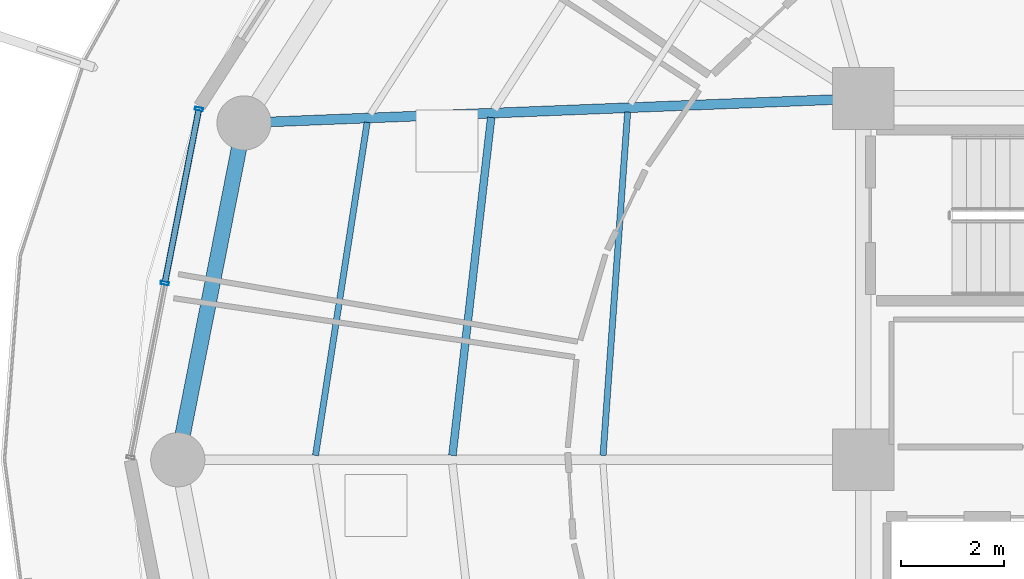
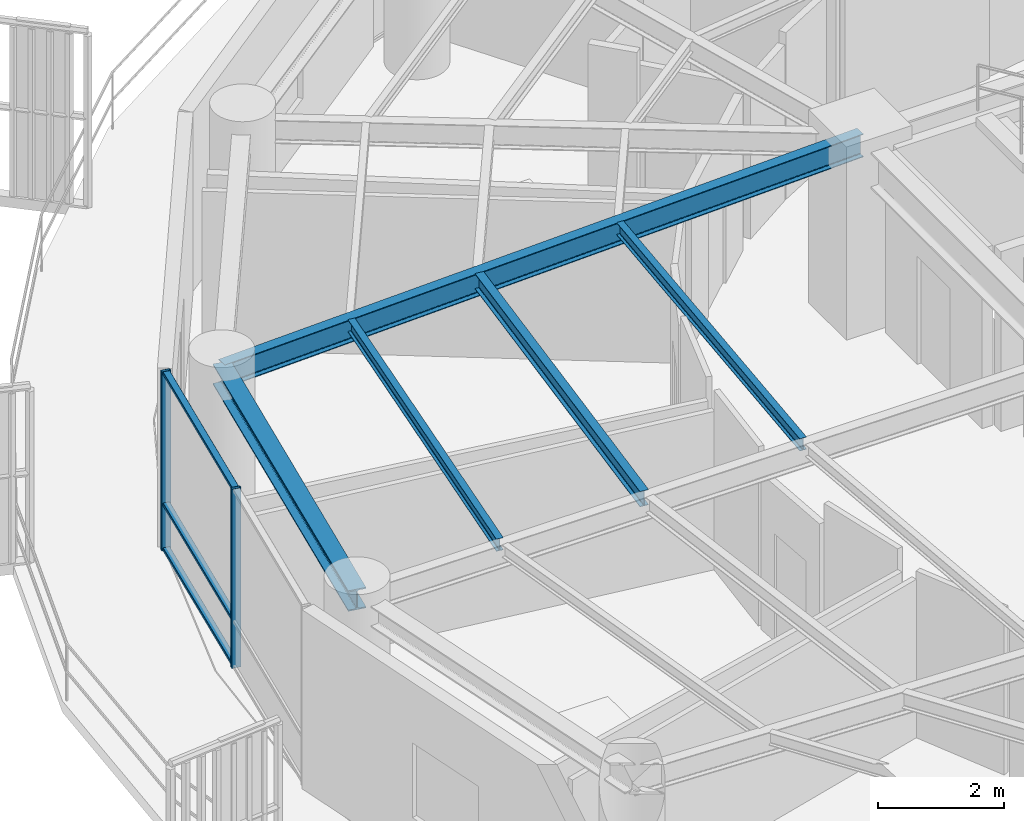
# One storey, part 8 of 31: 5 beams, 5 members, 1 element without a shape of its own.
"""IFC4 building model written with IfcOpenShell, lengths in metres."""

from ifc_helpers import new_model, si_unit, direction, frame, origin, origin_2d, place, context, subcontext, project, spatial, hollow_rectangle, i_section, extrude, material, layer, layer_set, material_profile, profile_set, type_object, element, aggregate, save


model = new_model("IFC4")

# Units and contexts
model_context = context("Model", 3, precision=1e-05, world=origin(), true_north=direction((0.0, 1.0)))
body_context = subcontext(model_context, "Body", "Model", "MODEL_VIEW")
ifc_project = project(units=[si_unit("LENGTHUNIT", "METRE"), si_unit("AREAUNIT", "SQUARE_METRE"), si_unit("VOLUMEUNIT", "CUBIC_METRE"), si_unit("PLANEANGLEUNIT", "RADIAN"), si_unit("MASSUNIT", "GRAM", prefix="KILO")], contexts=[model_context])

# Site, building, storey
site_placement = place(None, origin())
site = spatial("IfcSite", under=ifc_project, at=site_placement, CompositionType="ELEMENT")
building_placement = place(site_placement, origin())
building = spatial("IfcBuilding", under=site, at=building_placement, Name="Kelanora Arch Commons", CompositionType="ELEMENT")
storey_placement = place(building_placement, frame((0.0, 0.0, 193.199951171875)))
storey = spatial("IfcBuildingStorey", under=building, at=storey_placement, Name="L49", CompositionType="ELEMENT", Elevation=193.199951171875)

# Beams
ifc_material_1 = material(Name="Steel S355", Category="steel")
ifc_material_profile_1 = material_profile(ifc_material_1, i_section(OverallWidth=0.14990234375, OverallDepth=0.300048828125, WebThickness=0.007080078125, FlangeThickness=0.0107421875, FilletRadius=0.014892578125, at=origin_2d()), Name="IPE300")
ifc_profile_set_1 = profile_set([ifc_material_profile_1], Name="Steel S355")
beam_type_1 = type_object("IfcBeamType", Name="BM-JST-01", PredefinedType="JOIST", material=ifc_profile_set_1)
beam_1_placement = place(storey_placement, frame((58.792236328125, 64.631103515625, 3.340087890625), z_axis=(-0.113891408177, -0.993493204377, 0.0), x_axis=(0.993493204377, -0.113891408177, 0.0)))
element("IfcBeam", 1, at=beam_1_placement, inside=storey, type_object=beam_type_1, Name="Secondary Chord Joist BJB-16 L49", PredefinedType="JOIST", context=body_context, shape_type="SweptSolid", body=[
    extrude(i_section(OverallWidth=0.14990234375, OverallDepth=0.300048828125, WebThickness=0.007080078125, FlangeThickness=0.0107421875, FilletRadius=0.014892578125, at=origin_2d()), origin(), (0.0, 0.0, 1.0), 6.589599609375),
])
ifc_material_profile_2 = material_profile(ifc_material_1, i_section(OverallWidth=0.1201171875, OverallDepth=0.239990234375, WebThickness=0.006103515625, FlangeThickness=0.009765625, FilletRadius=0.014892578125, at=origin_2d()), Name="IPE240")
ifc_profile_set_2 = profile_set([ifc_material_profile_2], Name="Steel S355")
beam_type_2 = type_object("IfcBeamType", Name="BM-JST-02", PredefinedType="JOIST", material=ifc_profile_set_2)
beam_2_placement = place(storey_placement, frame((61.435302734375, 64.735107421875, 3.3701171875), z_axis=(-0.07133032136, -0.997452748382, 0.0), x_axis=(0.997452748382, -0.07133032136, 0.0)))
element("IfcBeam", 2, at=beam_2_placement, inside=storey, type_object=beam_type_2, Name="Secondary Chord Joist BJA-16 L49", PredefinedType="JOIST", context=body_context, shape_type="SweptSolid", body=[
    extrude(i_section(OverallWidth=0.1201171875, OverallDepth=0.239990234375, WebThickness=0.006103515625, FlangeThickness=0.009765625, FilletRadius=0.014892578125, at=origin_2d()), origin(), (0.0, 0.0, 1.0), 6.66748046875),
])
beam_3_placement = place(storey_placement, frame((56.3896484375, 64.53662109375, 3.3701171875), z_axis=(-0.153256756152, -0.988186402808, 0.0), x_axis=(0.988186402808, -0.153256756152, 0.0)))
element("IfcBeam", 3, at=beam_3_placement, inside=storey, type_object=beam_type_2, Name="Secondary Chord Joist BJC-16 L49", PredefinedType="JOIST", context=body_context, shape_type="SweptSolid", body=[
    extrude(i_section(OverallWidth=0.1201171875, OverallDepth=0.239990234375, WebThickness=0.006103515625, FlangeThickness=0.009765625, FilletRadius=0.014892578125, at=origin_2d()), origin(), (0.0, 0.0, 1.0), 6.52978515625),
])
ifc_material_profile_3 = material_profile(ifc_material_1, i_section(OverallWidth=0.18994140625, OverallDepth=0.449951171875, WebThickness=0.009521484375, FlangeThickness=0.0146484375, FilletRadius=0.02099609375, at=origin_2d()), Name="IPE450")
ifc_profile_set_3 = profile_set([ifc_material_profile_3], Name="Steel S355")
beam_type_3 = type_object("IfcBeamType", Name="BM-RAD-Z4", PredefinedType="BEAM", material=ifc_profile_set_3)
beam_4_placement = place(storey_placement, frame((66.0, 65.0, 3.26513671875), z_axis=(-0.999219142585, -0.03951082246, 0.0), x_axis=(0.03951082246, -0.999219142585, 0.0)))
element("IfcBeam", 4, at=beam_4_placement, inside=storey, type_object=beam_type_3, Name="Radial Floor Girder BR-16 L49", PredefinedType="BEAM", context=body_context, shape_type="SweptSolid", body=[
    extrude(i_section(OverallWidth=0.18994140625, OverallDepth=0.449951171875, WebThickness=0.009521484375, FlangeThickness=0.0146484375, FilletRadius=0.02099609375, at=origin_2d()), origin(), (0.0, 0.0, 1.0), 12.005859375),
])
ifc_material_profile_4 = material_profile(ifc_material_1, i_section(OverallWidth=0.300048828125, OverallDepth=0.39990234375, WebThickness=0.013427734375, FlangeThickness=0.02392578125, FilletRadius=0.027099609375, at=origin_2d()), Name="HEB400")
ifc_profile_set_4 = profile_set([ifc_material_profile_4], Name="Steel S355")
beam_type_4 = type_object("IfcBeamType", Name="BM-SPN-Z4", PredefinedType="SPANDREL", material=ifc_profile_set_4)
beam_5_placement = place(storey_placement, frame((54.00341796875, 64.525634765625, 3.2900390625), z_axis=(-0.192980724826, -0.981202547819, 0.0), x_axis=(0.981202547819, -0.192980724826, 0.0)))
element("IfcBeam", 5, at=beam_5_placement, inside=storey, type_object=beam_type_4, Name="Perimeter Spandrel Beam BS-16 L49", PredefinedType="SPANDREL", context=body_context, shape_type="SweptSolid", body=[
    extrude(i_section(OverallWidth=0.300048828125, OverallDepth=0.39990234375, WebThickness=0.013427734375, FlangeThickness=0.02392578125, FilletRadius=0.027099609375, at=origin_2d()), origin(), (0.0, 0.0, 1.0), 6.650634765625),
])

# Curtain wall, members
ifc_material_2 = material(Name="Terracotta ceramic-fritted low-E glass and aluminium", Category="masonry")
ifc_layer = layer(ifc_material_2, 0.175048828125)
ifc_layer_set = layer_set([ifc_layer], Name="Terracotta ceramic-fritted low-E glass and aluminium")
curtain_wall_type = type_object("IfcCurtainWallType", Name="CW-SYS-02", PredefinedType="NOTDEFINED", material=ifc_layer_set)
curtain_wall_placement = place(storey_placement, origin())
curtain_wall = element("IfcCurtainWall", 6, at=curtain_wall_placement, inside=storey, type_object=curtain_wall_type, Name="Unitised Curtain Wall L49-B08", PredefinedType="NOTDEFINED")
ifc_material_3 = material(Name="Powder-coated aluminium terracotta", Category="masonry")
ifc_material_profile_5 = material_profile(ifc_material_3, hollow_rectangle(XDim=0.159912109375, YDim=0.06005859375, WallThickness=0.0048828125, InnerFilletRadius=0.0048828125, OuterFilletRadius=0.010009765625, at=origin_2d()), Name="CWM160x60")
ifc_profile_set_5 = profile_set([ifc_material_profile_5], Name="Powder-coated aluminium terracotta")
member_type_1 = type_object("IfcMemberType", Name="CWM-STD", PredefinedType="MULLION", material=ifc_profile_set_5)
member_1_placement = place(storey_placement, frame((53.130126953125, 64.796142578125, 0.0), z_axis=(0.0, 0.0, 1.0), x_axis=(0.981381438349, -0.192068926335, 0.0)))
member_1 = element("IfcMember", 7, at=member_1_placement, type_object=member_type_1, Name="CW-02 mullion 1", PredefinedType="MULLION", context=body_context, shape_type="SweptSolid", body=[
    extrude(hollow_rectangle(XDim=0.159912109375, YDim=0.06005859375, WallThickness=0.0048828125, InnerFilletRadius=0.0048828125, OuterFilletRadius=0.010009765625, at=origin_2d()), origin(), (0.0, 0.0, 1.0), 3.47509765625),
])
member_2_placement = place(storey_placement, frame((52.469482421875, 61.420166015625, 0.0), z_axis=(0.0, 0.0, 1.0), x_axis=(0.981381438349, -0.192068926335, 0.0)))
member_2 = element("IfcMember", 8, at=member_2_placement, type_object=member_type_1, Name="CW-02 mullion 2", PredefinedType="MULLION", context=body_context, shape_type="SweptSolid", body=[
    extrude(hollow_rectangle(XDim=0.159912109375, YDim=0.06005859375, WallThickness=0.0048828125, InnerFilletRadius=0.0048828125, OuterFilletRadius=0.010009765625, at=origin_2d()), origin(), (0.0, 0.0, 1.0), 3.47509765625),
])
ifc_material_profile_6 = material_profile(ifc_material_3, hollow_rectangle(XDim=0.1201171875, YDim=0.06005859375, WallThickness=0.0048828125, InnerFilletRadius=0.0048828125, OuterFilletRadius=0.010009765625, at=origin_2d()), Name="CWT120x60")
ifc_profile_set_6 = profile_set([ifc_material_profile_6], Name="Powder-coated aluminium terracotta")
member_type_2 = type_object("IfcMemberType", Name="CWT-STD", PredefinedType="USERDEFINED", material=ifc_profile_set_6)
member_3_placement = place(storey_placement, frame((53.124267578125, 64.766845703125, 0.030029296875), z_axis=(-0.192058488005, -0.981383481207, 0.0), x_axis=(0.981383481207, -0.192058488005, 0.0)))
member_3 = element("IfcMember", 9, at=member_3_placement, type_object=member_type_2, Name="CW-02 transom 1.1", ObjectType="TRANSOM", PredefinedType="USERDEFINED", context=body_context, shape_type="SweptSolid", body=[
    extrude(hollow_rectangle(XDim=0.1201171875, YDim=0.06005859375, WallThickness=0.0048828125, InnerFilletRadius=0.0048828125, OuterFilletRadius=0.010009765625, at=origin_2d()), origin(), (0.0, 0.0, 1.0), 3.380126953125),
])
member_4_placement = place(storey_placement, frame((53.124267578125, 64.766845703125, 0.900146484375), z_axis=(-0.192058488005, -0.981383481207, 0.0), x_axis=(0.981383481207, -0.192058488005, 0.0)))
member_4 = element("IfcMember", 10, at=member_4_placement, type_object=member_type_2, Name="CW-02 transom 1.2", ObjectType="TRANSOM", PredefinedType="USERDEFINED", context=body_context, shape_type="SweptSolid", body=[
    extrude(hollow_rectangle(XDim=0.1201171875, YDim=0.06005859375, WallThickness=0.0048828125, InnerFilletRadius=0.0048828125, OuterFilletRadius=0.010009765625, at=origin_2d()), origin(), (0.0, 0.0, 1.0), 3.380126953125),
])
member_5_placement = place(storey_placement, frame((53.124267578125, 64.766845703125, 3.445068359375), z_axis=(-0.192058488005, -0.981383481207, 0.0), x_axis=(0.981383481207, -0.192058488005, 0.0)))
member_5 = element("IfcMember", 11, at=member_5_placement, type_object=member_type_2, Name="CW-02 transom 1.3", ObjectType="TRANSOM", PredefinedType="USERDEFINED", context=body_context, shape_type="SweptSolid", body=[
    extrude(hollow_rectangle(XDim=0.1201171875, YDim=0.06005859375, WallThickness=0.0048828125, InnerFilletRadius=0.0048828125, OuterFilletRadius=0.010009765625, at=origin_2d()), origin(), (0.0, 0.0, 1.0), 3.380126953125),
])
aggregate(curtain_wall, [member_1, member_2, member_3, member_4, member_5])

save(model, "model.ifc")
